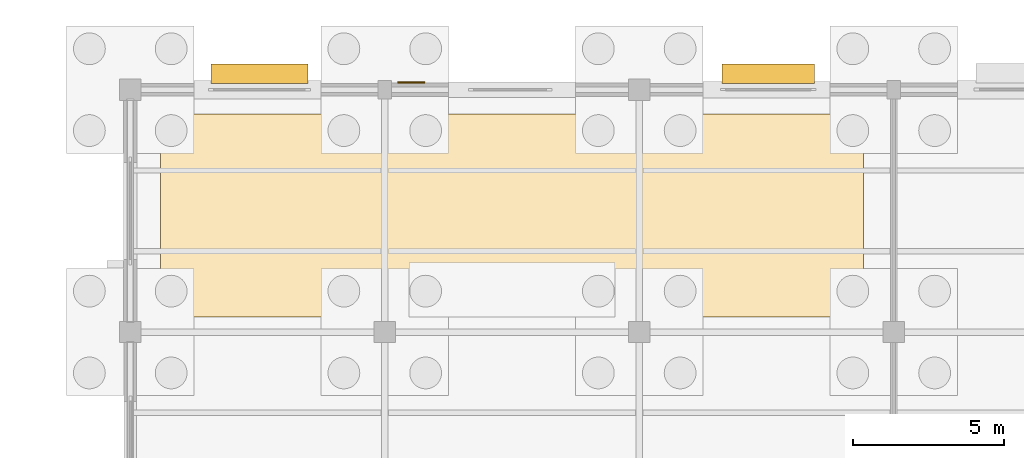
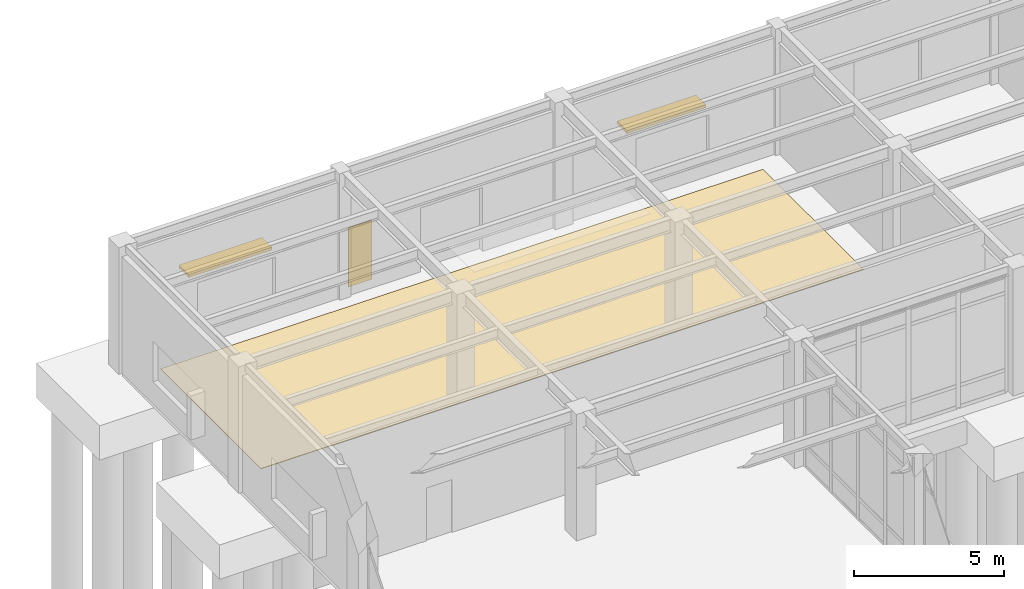
# One storey, part 134 of 138: 2 coverings, 2 shading devices.
"""IFC4 building model written with IfcOpenShell, lengths in metres."""

from ifc_helpers import new_model, si_unit, direction, frame, origin, origin_2d, place, context, subcontext, project, spatial, polyline, rectangle, outline, extrude, material, layer, layer_set, type_object, element, save


model = new_model("IFC4")

# Units and contexts
model_context = context("Model", 3, precision=1e-05, world=origin(), true_north=direction((0.0, 1.0)))
body_context = subcontext(model_context, "Body", "Model", "MODEL_VIEW")
ifc_project = project(units=[si_unit("LENGTHUNIT", "METRE"), si_unit("AREAUNIT", "SQUARE_METRE"), si_unit("VOLUMEUNIT", "CUBIC_METRE"), si_unit("PLANEANGLEUNIT", "RADIAN"), si_unit("MASSUNIT", "GRAM", prefix="KILO")], contexts=[model_context])

# Site, building, storey
site_placement = place(None, origin())
site = spatial("IfcSite", under=ifc_project, at=site_placement, CompositionType="ELEMENT")
building_placement = place(site_placement, origin())
building = spatial("IfcBuilding", under=site, at=building_placement, Name="Kranzveld Transit Interchange", CompositionType="ELEMENT")
storey_placement = place(building_placement, origin())
storey = spatial("IfcBuildingStorey", under=building, at=storey_placement, Name="L00", CompositionType="ELEMENT", Elevation=0.0)

# Covering
ifc_material_1 = material(Name="Pretoria red-purple clinker clay face brick, 35 MPa", Category="masonry")
ifc_layer_1 = layer(ifc_material_1, 0.030029296875)
ifc_layer_set_1 = layer_set([ifc_layer_1], Name="Pretoria red-purple clinker clay face brick, 35 MPa")
covering_type_1 = type_object("IfcCoveringType", Name="Heavy-Duty Transit Quarry Tile Flooring 30", PredefinedType="FLOORING", material=ifc_layer_set_1)
covering_1_placement = place(storey_placement, origin())
element("IfcCovering", 1, at=covering_1_placement, inside=storey, type_object=covering_type_1, Name="Sunny Court Cafe Quarry Tile Floor", PredefinedType="FLOORING", context=body_context, shape_type="SweptSolid", body=[
    extrude(outline(polyline([(101.800048828125, 104.5), (125.0, 104.5), (125.0, 111.199951171875), (101.800048828125, 111.199951171875), (101.800048828125, 104.5)])), origin(), (0.0, 0.0, 1.0), 0.030029296875),
])

# Shading devices
ifc_material_2 = material(Name="Bronze-anodised thermally broken aluminium", Category="aluminium")
shading_device_type = type_object("IfcShadingDeviceType", Name="North Overhang Solar Louvre Brise-Soleil", PredefinedType="JALOUSIE", material=ifc_material_2)
shading_device_1_placement = place(storey_placement, frame((105.0625, 112.530029296875, 2.550048828125), z_axis=(0.0, 0.0, 1.0), x_axis=(1.0, 0.0, 0.0)))
element("IfcShadingDevice", 2, at=shading_device_1_placement, inside=storey, type_object=shading_device_type, Name="L00 North Solar Louvre 13/Q", PredefinedType="JALOUSIE", context=body_context, shape_type="SweptSolid", body=[
    extrude(rectangle(XDim=3.199951171875, YDim=0.64990234375, at=origin_2d()), origin(), (0.0, 0.0, 1.0), 0.1201171875),
])
shading_device_2_placement = place(storey_placement, frame((121.862548828125, 112.530029296875, 2.5), z_axis=(0.0, 0.0, 1.0), x_axis=(1.0, 0.0, 0.0)))
element("IfcShadingDevice", 3, at=shading_device_2_placement, inside=storey, type_object=shading_device_type, Name="L00 North Solar Louvre 15/Q", PredefinedType="JALOUSIE", context=body_context, shape_type="SweptSolid", body=[
    extrude(rectangle(XDim=3.050048828125, YDim=0.64990234375, at=origin_2d()), origin(), (0.0, 0.0, 1.0), 0.1201171875),
])

# Covering
ifc_material_3 = material(Name="Ochre Pretoria sandstone cladding, 45 MPa", Category="masonry")
ifc_layer_2 = layer(ifc_material_3, 0.044921875)
ifc_layer_set_2 = layer_set([ifc_layer_2], Name="Ochre Pretoria sandstone cladding, 45 MPa")
covering_type_2 = type_object("IfcCoveringType", Name="Ochre Pretoria Sandstone Pier Cladding 45", PredefinedType="CLADDING", material=ifc_layer_set_2)
covering_2_placement = place(storey_placement, frame((110.074951171875, 112.242431640625, 0.0), z_axis=(0.0, 0.0, 1.0), x_axis=(1.0, 0.0, 0.0)))
element("IfcCovering", 4, at=covering_2_placement, inside=storey, type_object=covering_type_2, Name="L00 Sandstone Plinth Cladding 05", PredefinedType="CLADDING", context=body_context, shape_type="SweptSolid", body=[
    extrude(rectangle(XDim=0.89990234375, YDim=0.044921875, at=origin_2d()), origin(), (0.0, 0.0, 1.0), 2.39990234375),
])

save(model, "model.ifc")
